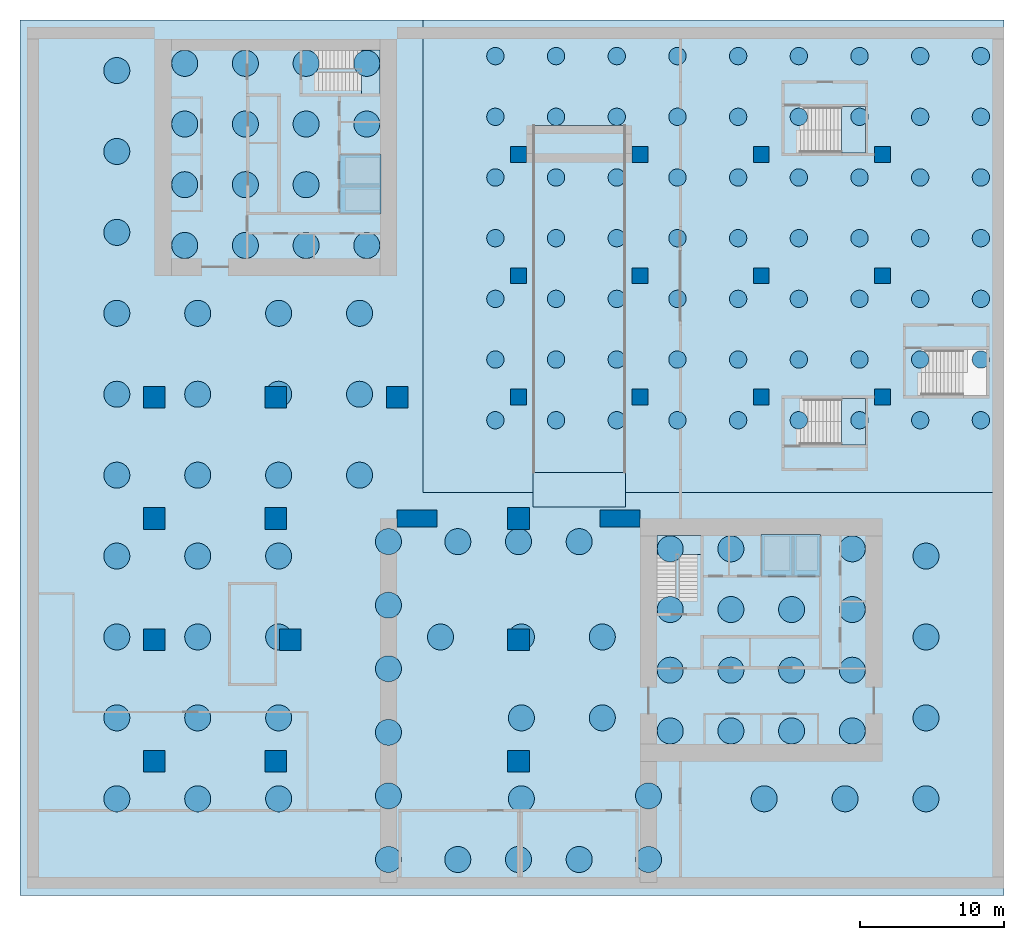
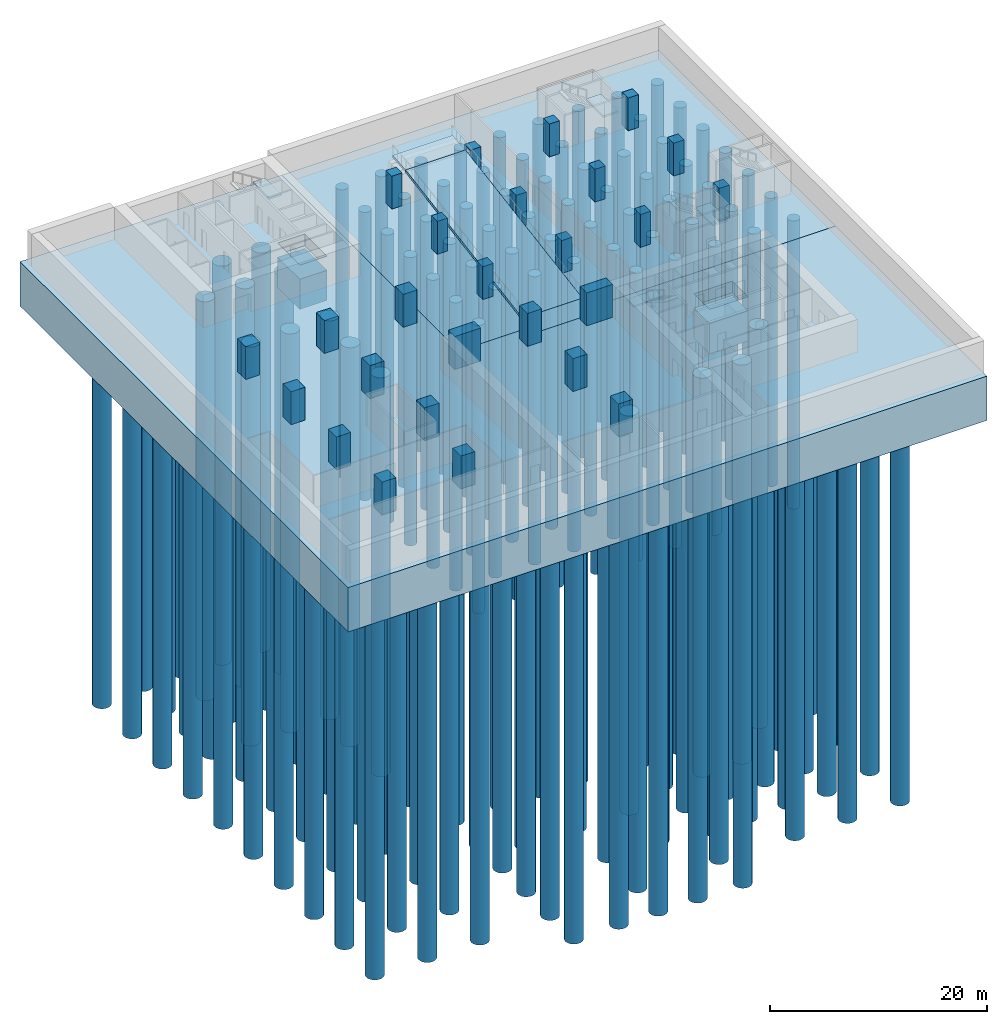
# One storey, part 1 of 8: 146 piles, 26 columns, 9 slabs, 4 footings, 4 elements without a shape of their own.
"""IFC4 building model written with IfcOpenShell, lengths in metres."""

from ifc_helpers import new_model, si_unit, direction, frame, origin, origin_2d, place, context, subcontext, project, spatial, polyline, rectangle, circle, outline, extrude, material, layer, layer_set, material_profile, profile_set, type_object, element, aggregate, save


model = new_model("IFC4")

# Units and contexts
model_context = context("Model", 3, precision=1e-05, world=origin(), true_north=direction((0.0, 1.0)))
body_context = subcontext(model_context, "Body", "Model", "MODEL_VIEW")
ifc_project = project(units=[si_unit("LENGTHUNIT", "METRE"), si_unit("AREAUNIT", "SQUARE_METRE"), si_unit("VOLUMEUNIT", "CUBIC_METRE"), si_unit("PLANEANGLEUNIT", "RADIAN"), si_unit("MASSUNIT", "GRAM", prefix="KILO")], contexts=[model_context])

# Site, building, storey
site_placement = place(None, origin())
site = spatial("IfcSite", under=ifc_project, at=site_placement, CompositionType="ELEMENT")
building_placement = place(site_placement, origin())
building = spatial("IfcBuilding", under=site, at=building_placement, Name="Vermilion Gate Residences", CompositionType="ELEMENT")
storey_placement = place(building_placement, frame((0.0, 0.0, -16.0)))
storey = spatial("IfcBuildingStorey", under=building, at=storey_placement, Name="B4", CompositionType="ELEMENT", Elevation=-16.0)

# Piles
ifc_material_1 = material(Name="Concrete C40", Category="concrete")
ifc_material_profile_1 = material_profile(ifc_material_1, circle(Radius=0.60009765625, at=origin_2d()), Name="BORED PILE 1200")
ifc_profile_set_1 = profile_set([ifc_material_profile_1], Name="Concrete C40")
pile_type_1 = type_object("IfcPileType", Name="BORED PILE 1200", PredefinedType="BORED", material=ifc_profile_set_1)
for number, where, z_axis, x_axis, name in (
    (1, (32.0, 32.0, -1.5), (0.0, 0.0, -1.0), (1.0, 0.0, 0.0), "Bored pile P084"),
    (2, (36.199951171875, 32.0, -1.5), (0.0, 0.0, -1.0), (1.0, 0.0, 0.0), "Bored pile P085"),
    (3, (40.39990234375, 32.0, -1.5), (0.0, 0.0, -1.0), (1.0, 0.0, 0.0), "Bored pile P086"),
    (4, (44.60009765625, 32.0, -1.5), (0.0, 0.0, -1.0), (1.0, 0.0, 0.0), "Bored pile P087"),
    (5, (48.800048828125, 32.0, -1.5), (0.0, 0.0, -1.0), (1.0, 0.0, 0.0), "Bored pile P088"),
    (6, (53.0, 32.0, -1.5), (0.0, 0.0, -1.0), (1.0, 0.0, 0.0), "Bored pile P089"),
    (7, (57.199951171875, 32.0, -1.5), (0.0, 0.0, -1.0), (1.0, 0.0, 0.0), "Bored pile P090"),
    (8, (61.39990234375, 32.0, -1.5), (0.0, 0.0, -1.0), (1.0, 0.0, 0.0), "Bored pile P091"),
    (9, (65.60009765625, 32.0, -1.5), (0.0, 0.0, -1.0), (1.0, 0.0, 0.0), "Bored pile P092"),
    (10, (32.0, 36.199951171875, -1.5), (0.0, 0.0, -1.0), (1.0, 0.0, 0.0), "Bored pile P093"),
    (11, (36.199951171875, 36.199951171875, -1.5), (0.0, 0.0, -1.0), (1.0, 0.0, 0.0), "Bored pile P094"),
    (12, (40.39990234375, 36.199951171875, -1.5), (0.0, 0.0, -1.0), (1.0, 0.0, 0.0), "Bored pile P095"),
    (13, (44.60009765625, 36.199951171875, -1.5), (0.0, 0.0, -1.0), (1.0, 0.0, 0.0), "Bored pile P096"),
    (14, (48.800048828125, 36.199951171875, -1.5), (0.0, 0.0, -1.0), (1.0, 0.0, 0.0), "Bored pile P097"),
    (15, (53.0, 36.199951171875, -1.5), (0.0, 0.0, -1.0), (1.0, 0.0, 0.0), "Bored pile P098"),
    (16, (57.199951171875, 36.199951171875, -1.5), (0.0, 0.0, -1.0), (1.0, 0.0, 0.0), "Bored pile P099"),
    (17, (61.39990234375, 36.199951171875, -1.5), (0.0, 0.0, -1.0), (1.0, 0.0, 0.0), "Bored pile P100"),
    (18, (65.60009765625, 36.199951171875, -1.5), (0.0, 0.0, -1.0), (1.0, 0.0, 0.0), "Bored pile P101"),
    (19, (32.0, 40.39990234375, -1.5), (0.0, 0.0, -1.0), (1.0, 0.0, 0.0), "Bored pile P102"),
    (20, (36.199951171875, 40.39990234375, -1.5), (0.0, 0.0, -1.0), (1.0, 0.0, 0.0), "Bored pile P103"),
    (21, (40.39990234375, 40.39990234375, -1.5), (0.0, 0.0, -1.0), (1.0, 0.0, 0.0), "Bored pile P104"),
    (22, (44.60009765625, 40.39990234375, -1.5), (0.0, 0.0, -1.0), (1.0, 0.0, 0.0), "Bored pile P105"),
    (23, (48.800048828125, 40.39990234375, -1.5), (0.0, 0.0, -1.0), (1.0, 0.0, 0.0), "Bored pile P106"),
    (24, (53.0, 40.39990234375, -1.5), (0.0, 0.0, -1.0), (1.0, 0.0, 0.0), "Bored pile P107"),
    (25, (57.199951171875, 40.39990234375, -1.5), (0.0, 0.0, -1.0), (1.0, 0.0, 0.0), "Bored pile P108"),
    (26, (61.39990234375, 40.39990234375, -1.5), (0.0, 0.0, -1.0), (1.0, 0.0, 0.0), "Bored pile P109"),
    (27, (65.60009765625, 40.39990234375, -1.5), (0.0, 0.0, -1.0), (1.0, 0.0, 0.0), "Bored pile P110"),
    (28, (32.0, 44.60009765625, -1.5), (0.0, 0.0, -1.0), (1.0, 0.0, 0.0), "Bored pile P111"),
    (29, (36.199951171875, 44.60009765625, -1.5), (0.0, 0.0, -1.0), (1.0, 0.0, 0.0), "Bored pile P112"),
    (30, (40.39990234375, 44.60009765625, -1.5), (0.0, 0.0, -1.0), (1.0, 0.0, 0.0), "Bored pile P113"),
    (31, (44.60009765625, 44.60009765625, -1.5), (0.0, 0.0, -1.0), (1.0, 0.0, 0.0), "Bored pile P114"),
    (32, (48.800048828125, 44.60009765625, -1.5), (0.0, 0.0, -1.0), (1.0, 0.0, 0.0), "Bored pile P115"),
    (33, (53.0, 44.60009765625, -1.5), (0.0, 0.0, -1.0), (1.0, 0.0, 0.0), "Bored pile P116"),
    (34, (57.199951171875, 44.60009765625, -1.5), (0.0, 0.0, -1.0), (1.0, 0.0, 0.0), "Bored pile P117"),
    (35, (61.39990234375, 44.60009765625, -1.5), (0.0, 0.0, -1.0), (1.0, 0.0, 0.0), "Bored pile P118"),
    (36, (65.60009765625, 44.60009765625, -1.5), (0.0, 0.0, -1.0), (1.0, 0.0, 0.0), "Bored pile P119"),
    (37, (32.0, 48.800048828125, -1.5), (0.0, 0.0, -1.0), (1.0, 0.0, 0.0), "Bored pile P120"),
    (38, (36.199951171875, 48.800048828125, -1.5), (0.0, 0.0, -1.0), (1.0, 0.0, 0.0), "Bored pile P121"),
    (39, (40.39990234375, 48.800048828125, -1.5), (0.0, 0.0, -1.0), (1.0, 0.0, 0.0), "Bored pile P122"),
    (40, (44.60009765625, 48.800048828125, -1.5), (0.0, 0.0, -1.0), (1.0, 0.0, 0.0), "Bored pile P123"),
    (41, (48.800048828125, 48.800048828125, -1.5), (0.0, 0.0, -1.0), (1.0, 0.0, 0.0), "Bored pile P124"),
    (42, (53.0, 48.800048828125, -1.5), (0.0, 0.0, -1.0), (1.0, 0.0, 0.0), "Bored pile P125"),
    (43, (57.199951171875, 48.800048828125, -1.5), (0.0, 0.0, -1.0), (1.0, 0.0, 0.0), "Bored pile P126"),
    (44, (61.39990234375, 48.800048828125, -1.5), (0.0, 0.0, -1.0), (1.0, 0.0, 0.0), "Bored pile P127"),
    (45, (65.60009765625, 48.800048828125, -1.5), (0.0, 0.0, -1.0), (1.0, 0.0, 0.0), "Bored pile P128"),
    (46, (32.0, 53.0, -1.5), (0.0, 0.0, -1.0), (1.0, 0.0, 0.0), "Bored pile P129"),
    (47, (36.199951171875, 53.0, -1.5), (0.0, 0.0, -1.0), (1.0, 0.0, 0.0), "Bored pile P130"),
    (48, (40.39990234375, 53.0, -1.5), (0.0, 0.0, -1.0), (1.0, 0.0, 0.0), "Bored pile P131"),
    (49, (44.60009765625, 53.0, -1.5), (0.0, 0.0, -1.0), (1.0, 0.0, 0.0), "Bored pile P132"),
    (50, (48.800048828125, 53.0, -1.5), (0.0, 0.0, -1.0), (1.0, 0.0, 0.0), "Bored pile P133"),
    (51, (53.0, 53.0, -1.5), (0.0, 0.0, -1.0), (1.0, 0.0, 0.0), "Bored pile P134"),
    (52, (57.199951171875, 53.0, -1.5), (0.0, 0.0, -1.0), (1.0, 0.0, 0.0), "Bored pile P135"),
    (53, (61.39990234375, 53.0, -1.5), (0.0, 0.0, -1.0), (1.0, 0.0, 0.0), "Bored pile P136"),
    (54, (65.60009765625, 53.0, -1.5), (0.0, 0.0, -1.0), (1.0, 0.0, 0.0), "Bored pile P137"),
    (55, (32.0, 57.199951171875, -1.5), (0.0, 0.0, -1.0), (1.0, 0.0, 0.0), "Bored pile P138"),
    (56, (36.199951171875, 57.199951171875, -1.5), (0.0, 0.0, -1.0), (1.0, 0.0, 0.0), "Bored pile P139"),
    (57, (40.39990234375, 57.199951171875, -1.5), (0.0, 0.0, -1.0), (1.0, 0.0, 0.0), "Bored pile P140"),
    (58, (44.60009765625, 57.199951171875, -1.5), (0.0, 0.0, -1.0), (1.0, 0.0, 0.0), "Bored pile P141"),
    (59, (48.800048828125, 57.199951171875, -1.5), (0.0, 0.0, -1.0), (1.0, 0.0, 0.0), "Bored pile P142"),
    (60, (53.0, 57.199951171875, -1.5), (0.0, 0.0, -1.0), (1.0, 0.0, 0.0), "Bored pile P143"),
    (61, (57.199951171875, 57.199951171875, -1.5), (0.0, 0.0, -1.0), (1.0, 0.0, 0.0), "Bored pile P144"),
    (62, (61.39990234375, 57.199951171875, -1.5), (0.0, 0.0, -1.0), (1.0, 0.0, 0.0), "Bored pile P145"),
    (63, (65.60009765625, 57.199951171875, -1.5), (0.0, 0.0, -1.0), (1.0, 0.0, 0.0), "Bored pile P146"),
):
    element("IfcPile", number, at=place(storey_placement, frame(where, z_axis=z_axis, x_axis=x_axis)), inside=storey, type_object=pile_type_1, Name=name, PredefinedType="BORED", context=body_context, shape_type="SweptSolid", body=[
        extrude(circle(Radius=0.60009765625, at=origin_2d()), origin(), (0.0, 0.0, 1.0), 32.5),
    ])
ifc_material_2 = material(Name="Concrete C40", Category="concrete")
ifc_material_profile_2 = material_profile(ifc_material_2, circle(Radius=0.89990234375, at=origin_2d()), Name="BORED PILE 1800")
ifc_profile_set_2 = profile_set([ifc_material_profile_2], Name="Concrete C40")
pile_type_2 = type_object("IfcPileType", Name="BORED PILE 1800", PredefinedType="BORED", material=ifc_profile_set_2)
for number, where, z_axis, x_axis, name in (
    (64, (44.10009765625, 10.5, -5.0), (0.0, 0.0, -1.0), (1.0, 0.0, 0.0), "Bored pile P001"),
    (65, (44.10009765625, 14.699951171875, -5.0), (0.0, 0.0, -1.0), (1.0, 0.0, 0.0), "Bored pile P002"),
    (66, (44.10009765625, 18.89990234375, -5.0), (0.0, 0.0, -1.0), (1.0, 0.0, 0.0), "Bored pile P003"),
    (67, (44.10009765625, 23.10009765625, -5.0), (0.0, 0.0, -1.0), (1.0, 0.0, 0.0), "Bored pile P004"),
    (68, (48.300048828125, 10.5, -5.0), (0.0, 0.0, -1.0), (1.0, 0.0, 0.0), "Bored pile P005"),
    (69, (48.300048828125, 14.699951171875, -5.0), (0.0, 0.0, -1.0), (1.0, 0.0, 0.0), "Bored pile P006"),
    (70, (48.300048828125, 18.89990234375, -5.0), (0.0, 0.0, -1.0), (1.0, 0.0, 0.0), "Bored pile P007"),
    (71, (48.300048828125, 23.10009765625, -5.0), (0.0, 0.0, -1.0), (1.0, 0.0, 0.0), "Bored pile P008"),
    (72, (52.5, 10.5, -5.0), (0.0, 0.0, -1.0), (1.0, 0.0, 0.0), "Bored pile P009"),
    (73, (52.5, 14.699951171875, -5.0), (0.0, 0.0, -1.0), (1.0, 0.0, 0.0), "Bored pile P010"),
    (74, (52.5, 18.89990234375, -5.0), (0.0, 0.0, -1.0), (1.0, 0.0, 0.0), "Bored pile P011"),
    (75, (56.699951171875, 10.5, -5.0), (0.0, 0.0, -1.0), (1.0, 0.0, 0.0), "Bored pile P012"),
    (76, (56.699951171875, 14.699951171875, -5.0), (0.0, 0.0, -1.0), (1.0, 0.0, 0.0), "Bored pile P013"),
    (77, (56.699951171875, 18.89990234375, -5.0), (0.0, 0.0, -1.0), (1.0, 0.0, 0.0), "Bored pile P014"),
    (78, (56.699951171875, 23.10009765625, -5.0), (0.0, 0.0, -1.0), (1.0, 0.0, 0.0), "Bored pile P015"),
    (79, (10.5, 44.10009765625, -5.0), (0.0, 0.0, -1.0), (1.0, 0.0, 0.0), "Bored pile P016"),
    (80, (10.5, 48.300048828125, -5.0), (0.0, 0.0, -1.0), (1.0, 0.0, 0.0), "Bored pile P017"),
    (81, (10.5, 52.5, -5.0), (0.0, 0.0, -1.0), (1.0, 0.0, 0.0), "Bored pile P018"),
    (82, (10.5, 56.699951171875, -5.0), (0.0, 0.0, -1.0), (1.0, 0.0, 0.0), "Bored pile P019"),
    (83, (14.699951171875, 44.10009765625, -5.0), (0.0, 0.0, -1.0), (1.0, 0.0, 0.0), "Bored pile P020"),
    (84, (14.699951171875, 48.300048828125, -5.0), (0.0, 0.0, -1.0), (1.0, 0.0, 0.0), "Bored pile P021"),
    (85, (14.699951171875, 52.5, -5.0), (0.0, 0.0, -1.0), (1.0, 0.0, 0.0), "Bored pile P022"),
    (86, (14.699951171875, 56.699951171875, -5.0), (0.0, 0.0, -1.0), (1.0, 0.0, 0.0), "Bored pile P023"),
    (87, (18.89990234375, 44.10009765625, -5.0), (0.0, 0.0, -1.0), (1.0, 0.0, 0.0), "Bored pile P024"),
    (88, (18.89990234375, 48.300048828125, -5.0), (0.0, 0.0, -1.0), (1.0, 0.0, 0.0), "Bored pile P025"),
    (89, (18.89990234375, 52.5, -5.0), (0.0, 0.0, -1.0), (1.0, 0.0, 0.0), "Bored pile P026"),
    (90, (18.89990234375, 56.699951171875, -5.0), (0.0, 0.0, -1.0), (1.0, 0.0, 0.0), "Bored pile P027"),
    (91, (23.10009765625, 44.10009765625, -5.0), (0.0, 0.0, -1.0), (1.0, 0.0, 0.0), "Bored pile P028"),
    (92, (23.10009765625, 52.5, -5.0), (0.0, 0.0, -1.0), (1.0, 0.0, 0.0), "Bored pile P029"),
    (93, (23.10009765625, 56.699951171875, -5.0), (0.0, 0.0, -1.0), (1.0, 0.0, 0.0), "Bored pile P030"),
    (94, (24.60009765625, 1.60009765625, -5.0), (0.0, 0.0, -1.0), (1.0, 0.0, 0.0), "Bored pile P031"),
    (95, (24.60009765625, 6.0, -5.0), (0.0, 0.0, -1.0), (1.0, 0.0, 0.0), "Bored pile P032"),
    (96, (24.60009765625, 10.39990234375, -5.0), (0.0, 0.0, -1.0), (1.0, 0.0, 0.0), "Bored pile P033"),
    (97, (24.60009765625, 14.800048828125, -5.0), (0.0, 0.0, -1.0), (1.0, 0.0, 0.0), "Bored pile P034"),
    (98, (24.60009765625, 19.199951171875, -5.0), (0.0, 0.0, -1.0), (1.0, 0.0, 0.0), "Bored pile P035"),
    (99, (24.60009765625, 23.60009765625, -5.0), (0.0, 0.0, -1.0), (1.0, 0.0, 0.0), "Bored pile P036"),
    (100, (42.60009765625, 1.60009765625, -5.0), (0.0, 0.0, -1.0), (1.0, 0.0, 0.0), "Bored pile P037"),
    (101, (42.60009765625, 6.0, -5.0), (0.0, 0.0, -1.0), (1.0, 0.0, 0.0), "Bored pile P038"),
    (102, (29.39990234375, 1.60009765625, -5.0), (0.0, 0.0, -1.0), (1.0, 0.0, 0.0), "Bored pile P039"),
    (103, (29.39990234375, 23.60009765625, -5.0), (0.0, 0.0, -1.0), (1.0, 0.0, 0.0), "Bored pile P040"),
    (104, (33.60009765625, 1.60009765625, -5.0), (0.0, 0.0, -1.0), (1.0, 0.0, 0.0), "Bored pile P041"),
    (105, (33.60009765625, 23.60009765625, -5.0), (0.0, 0.0, -1.0), (1.0, 0.0, 0.0), "Bored pile P042"),
    (106, (37.800048828125, 1.60009765625, -5.0), (0.0, 0.0, -1.0), (1.0, 0.0, 0.0), "Bored pile P043"),
    (107, (37.800048828125, 23.60009765625, -5.0), (0.0, 0.0, -1.0), (1.0, 0.0, 0.0), "Bored pile P044"),
    (108, (5.800048828125, 5.800048828125, -5.0), (0.0, 0.0, -1.0), (1.0, 0.0, 0.0), "Bored pile P045"),
    (109, (11.39990234375, 5.800048828125, -5.0), (0.0, 0.0, -1.0), (1.0, 0.0, 0.0), "Bored pile P046"),
    (110, (17.0, 5.800048828125, -5.0), (0.0, 0.0, -1.0), (1.0, 0.0, 0.0), "Bored pile P047"),
    (111, (33.800048828125, 5.800048828125, -5.0), (0.0, 0.0, -1.0), (1.0, 0.0, 0.0), "Bored pile P048"),
    (112, (50.60009765625, 5.800048828125, -5.0), (0.0, 0.0, -1.0), (1.0, 0.0, 0.0), "Bored pile P049"),
    (113, (56.199951171875, 5.800048828125, -5.0), (0.0, 0.0, -1.0), (1.0, 0.0, 0.0), "Bored pile P050"),
    (114, (61.800048828125, 5.800048828125, -5.0), (0.0, 0.0, -1.0), (1.0, 0.0, 0.0), "Bored pile P051"),
    (115, (5.800048828125, 11.39990234375, -5.0), (0.0, 0.0, -1.0), (1.0, 0.0, 0.0), "Bored pile P052"),
    (116, (11.39990234375, 11.39990234375, -5.0), (0.0, 0.0, -1.0), (1.0, 0.0, 0.0), "Bored pile P053"),
    (117, (17.0, 11.39990234375, -5.0), (0.0, 0.0, -1.0), (1.0, 0.0, 0.0), "Bored pile P054"),
    (118, (33.800048828125, 11.39990234375, -5.0), (0.0, 0.0, -1.0), (1.0, 0.0, 0.0), "Bored pile P055"),
    (119, (39.39990234375, 11.39990234375, -5.0), (0.0, 0.0, -1.0), (1.0, 0.0, 0.0), "Bored pile P056"),
    (120, (61.800048828125, 11.39990234375, -5.0), (0.0, 0.0, -1.0), (1.0, 0.0, 0.0), "Bored pile P057"),
    (121, (5.800048828125, 17.0, -5.0), (0.0, 0.0, -1.0), (1.0, 0.0, 0.0), "Bored pile P058"),
    (122, (11.39990234375, 17.0, -5.0), (0.0, 0.0, -1.0), (1.0, 0.0, 0.0), "Bored pile P059"),
    (123, (17.0, 17.0, -5.0), (0.0, 0.0, -1.0), (1.0, 0.0, 0.0), "Bored pile P060"),
    (124, (28.199951171875, 17.0, -5.0), (0.0, 0.0, -1.0), (1.0, 0.0, 0.0), "Bored pile P061"),
    (125, (33.800048828125, 17.0, -5.0), (0.0, 0.0, -1.0), (1.0, 0.0, 0.0), "Bored pile P062"),
    (126, (39.39990234375, 17.0, -5.0), (0.0, 0.0, -1.0), (1.0, 0.0, 0.0), "Bored pile P063"),
    (127, (61.800048828125, 17.0, -5.0), (0.0, 0.0, -1.0), (1.0, 0.0, 0.0), "Bored pile P064"),
    (128, (5.800048828125, 22.60009765625, -5.0), (0.0, 0.0, -1.0), (1.0, 0.0, 0.0), "Bored pile P065"),
    (129, (11.39990234375, 22.60009765625, -5.0), (0.0, 0.0, -1.0), (1.0, 0.0, 0.0), "Bored pile P066"),
    (130, (17.0, 22.60009765625, -5.0), (0.0, 0.0, -1.0), (1.0, 0.0, 0.0), "Bored pile P067"),
    (131, (61.800048828125, 22.60009765625, -5.0), (0.0, 0.0, -1.0), (1.0, 0.0, 0.0), "Bored pile P068"),
    (132, (5.800048828125, 28.199951171875, -5.0), (0.0, 0.0, -1.0), (1.0, 0.0, 0.0), "Bored pile P069"),
    (133, (11.39990234375, 28.199951171875, -5.0), (0.0, 0.0, -1.0), (1.0, 0.0, 0.0), "Bored pile P070"),
    (134, (17.0, 28.199951171875, -5.0), (0.0, 0.0, -1.0), (1.0, 0.0, 0.0), "Bored pile P071"),
    (135, (22.60009765625, 28.199951171875, -5.0), (0.0, 0.0, -1.0), (1.0, 0.0, 0.0), "Bored pile P072"),
    (136, (5.800048828125, 33.800048828125, -5.0), (0.0, 0.0, -1.0), (1.0, 0.0, 0.0), "Bored pile P073"),
    (137, (11.39990234375, 33.800048828125, -5.0), (0.0, 0.0, -1.0), (1.0, 0.0, 0.0), "Bored pile P074"),
    (138, (17.0, 33.800048828125, -5.0), (0.0, 0.0, -1.0), (1.0, 0.0, 0.0), "Bored pile P075"),
    (139, (22.60009765625, 33.800048828125, -5.0), (0.0, 0.0, -1.0), (1.0, 0.0, 0.0), "Bored pile P076"),
    (140, (5.800048828125, 39.39990234375, -5.0), (0.0, 0.0, -1.0), (1.0, 0.0, 0.0), "Bored pile P077"),
    (141, (11.39990234375, 39.39990234375, -5.0), (0.0, 0.0, -1.0), (1.0, 0.0, 0.0), "Bored pile P078"),
    (142, (17.0, 39.39990234375, -5.0), (0.0, 0.0, -1.0), (1.0, 0.0, 0.0), "Bored pile P079"),
    (143, (22.60009765625, 39.39990234375, -5.0), (0.0, 0.0, -1.0), (1.0, 0.0, 0.0), "Bored pile P080"),
    (144, (5.800048828125, 45.0, -5.0), (0.0, 0.0, -1.0), (1.0, 0.0, 0.0), "Bored pile P081"),
    (145, (5.800048828125, 50.60009765625, -5.0), (0.0, 0.0, -1.0), (1.0, 0.0, 0.0), "Bored pile P082"),
    (146, (5.800048828125, 56.199951171875, -5.0), (0.0, 0.0, -1.0), (1.0, 0.0, 0.0), "Bored pile P083"),
):
    element("IfcPile", number, at=place(storey_placement, frame(where, z_axis=z_axis, x_axis=x_axis)), inside=storey, type_object=pile_type_2, Name=name, PredefinedType="BORED", context=body_context, shape_type="SweptSolid", body=[
        extrude(circle(Radius=0.89990234375, at=origin_2d()), origin(), (0.0, 0.0, 1.0), 45.0),
    ])

# Footings
ifc_material_3 = material(Name="Concrete C40", Category="concrete")
ifc_layer_1 = layer(ifc_material_3, 1.5)
ifc_layer_set_1 = layer_set([ifc_layer_1], Name="PILED RAFT 1500 C40")
footing_type_1 = type_object("IfcFootingType", Name="PILED RAFT 1500 C40", PredefinedType="PILE_CAP", material=ifc_layer_set_1)
footing_1_placement = place(storey_placement, frame((0.0, 0.0, -1.5)))
element("IfcFooting", 147, at=footing_1_placement, inside=storey, type_object=footing_type_1, Name="Piled raft court 1", PredefinedType="PILE_CAP", context=body_context, shape_type="SweptSolid", body=[
    extrude(outline(polyline([(67.199951171875, 59.699951171875), (27.0, 59.699951171875), (27.0, 27.0), (67.199951171875, 27.0), (67.199951171875, 59.699951171875)])), origin(), (0.0, 0.0, 1.0), 1.5),
])
ifc_material_4 = material(Name="Concrete C40", Category="concrete")
ifc_layer_2 = layer(ifc_material_4, 5.0)
ifc_layer_set_2 = layer_set([ifc_layer_2], Name="PILED RAFT 5000 C40")
footing_type_2 = type_object("IfcFootingType", Name="PILED RAFT 5000 C40", PredefinedType="PILE_CAP", material=ifc_layer_set_2)
footing_2_placement = place(storey_placement, frame((0.0, 0.0, -5.0)))
element("IfcFooting", 148, at=footing_2_placement, inside=storey, type_object=footing_type_2, Name="Piled raft tower 1", PredefinedType="PILE_CAP", context=body_context, shape_type="SweptSolid", body=[
    extrude(outline(polyline([(67.199951171875, 27.0), (27.0, 27.0), (27.0, 59.699951171875), (-0.89990234375, 59.699951171875), (-0.89990234375, -0.89990234375), (67.199951171875, -0.89990234375), (67.199951171875, 27.0)]), holes=[polyline([(54.5, 21.199951171875), (50.39990234375, 21.199951171875), (50.39990234375, 24.10009765625), (54.5, 24.10009765625), (54.5, 21.199951171875)]), polyline([(24.10009765625, 46.300048828125), (21.199951171875, 46.300048828125), (21.199951171875, 50.39990234375), (24.10009765625, 50.39990234375), (24.10009765625, 46.300048828125)])]), origin(), (0.0, 0.0, 1.0), 5.0),
])
ifc_material_5 = material(Name="Concrete C40", Category="concrete")
ifc_layer_3 = layer(ifc_material_5, 3.39990234375)
ifc_layer_set_3 = layer_set([ifc_layer_3], Name="PILED RAFT PIT 3400 C40")
footing_type_3 = type_object("IfcFootingType", Name="PILED RAFT PIT 3400 C40", PredefinedType="PILE_CAP", material=ifc_layer_set_3)
footing_3_placement = place(storey_placement, frame((0.0, 0.0, -5.0)))
element("IfcFooting", 149, at=footing_3_placement, inside=storey, type_object=footing_type_3, Name="Piled raft lift pit recess 1", PredefinedType="PILE_CAP", context=body_context, shape_type="SweptSolid", body=[
    extrude(outline(polyline([(54.5, 21.199951171875), (54.5, 24.10009765625), (50.39990234375, 24.10009765625), (50.39990234375, 21.199951171875), (54.5, 21.199951171875)])), origin(), (0.0, 0.0, 1.0), 3.39990234375),
])
footing_4_placement = place(storey_placement, frame((0.0, 0.0, -5.0)))
element("IfcFooting", 150, at=footing_4_placement, inside=storey, type_object=footing_type_3, Name="Piled raft lift pit recess 2", PredefinedType="PILE_CAP", context=body_context, shape_type="SweptSolid", body=[
    extrude(outline(polyline([(24.10009765625, 46.300048828125), (24.10009765625, 50.39990234375), (21.199951171875, 50.39990234375), (21.199951171875, 46.300048828125), (24.10009765625, 46.300048828125)])), origin(), (0.0, 0.0, 1.0), 3.39990234375),
])

# Columns
ifc_material_6 = material(Name="Concrete C60", Category="concrete")
ifc_material_profile_3 = material_profile(ifc_material_6, rectangle(XDim=1.10009765625, YDim=1.10009765625, at=origin_2d()), Name="RC-1100x1100")
ifc_profile_set_3 = profile_set([ifc_material_profile_3], Name="Concrete C60")
column_type_1 = type_object("IfcColumnType", Name="RC COLUMN 1100 X 1100 C60", PredefinedType="COLUMN", material=ifc_profile_set_3)
for number, where, z_axis, x_axis, name in (
    (151, (33.60009765625, 33.60009765625, 0.0), (0.0, 0.0, 1.0), (1.0, 0.0, 0.0), "Column 5-E B4"),
    (152, (33.60009765625, 42.0, 0.0), (0.0, 0.0, 1.0), (1.0, 0.0, 0.0), "Column 5-F B4"),
    (153, (33.60009765625, 50.39990234375, 0.0), (0.0, 0.0, 1.0), (1.0, 0.0, 0.0), "Column 5-G B4"),
    (154, (42.0, 33.60009765625, 0.0), (0.0, 0.0, 1.0), (1.0, 0.0, 0.0), "Column 6-E B4"),
    (155, (42.0, 42.0, 0.0), (0.0, 0.0, 1.0), (1.0, 0.0, 0.0), "Column 6-F B4"),
    (156, (42.0, 50.39990234375, 0.0), (0.0, 0.0, 1.0), (1.0, 0.0, 0.0), "Column 6-G B4"),
    (157, (50.39990234375, 33.60009765625, 0.0), (0.0, 0.0, 1.0), (1.0, 0.0, 0.0), "Column 7-E B4"),
    (158, (50.39990234375, 42.0, 0.0), (0.0, 0.0, 1.0), (1.0, 0.0, 0.0), "Column 7-F B4"),
    (159, (50.39990234375, 50.39990234375, 0.0), (0.0, 0.0, 1.0), (1.0, 0.0, 0.0), "Column 7-G B4"),
    (160, (58.800048828125, 33.60009765625, 0.0), (0.0, 0.0, 1.0), (1.0, 0.0, 0.0), "Column 8-E B4"),
    (161, (58.800048828125, 42.0, 0.0), (0.0, 0.0, 1.0), (1.0, 0.0, 0.0), "Column 8-F B4"),
    (162, (58.800048828125, 50.39990234375, 0.0), (0.0, 0.0, 1.0), (1.0, 0.0, 0.0), "Column 8-G B4"),
):
    element("IfcColumn", number, at=place(storey_placement, frame(where, z_axis=z_axis, x_axis=x_axis)), inside=storey, type_object=column_type_1, Name=name, PredefinedType="COLUMN", context=body_context, shape_type="SweptSolid", body=[
        extrude(rectangle(XDim=1.10009765625, YDim=1.10009765625, at=origin_2d()), origin(), (0.0, 0.0, 1.0), 3.699951171875),
    ])
ifc_material_7 = material(Name="Concrete C80", Category="concrete")
ifc_material_profile_4 = material_profile(ifc_material_7, rectangle(XDim=1.5, YDim=1.5, at=origin_2d()), Name="RC-1500x1500")
ifc_profile_set_4 = profile_set([ifc_material_profile_4], Name="Concrete C80")
column_type_2 = type_object("IfcColumnType", Name="RC COLUMN 1500 X 1500 C80", PredefinedType="COLUMN", material=ifc_profile_set_4)
for number, where, z_axis, x_axis, name in (
    (163, (8.39990234375, 8.39990234375, 0.0), (0.0, 0.0, 1.0), (1.0, 0.0, 0.0), "Column 2-B B4"),
    (164, (8.39990234375, 16.800048828125, 0.0), (0.0, 0.0, 1.0), (1.0, 0.0, 0.0), "Column 2-C B4"),
    (165, (8.39990234375, 25.199951171875, 0.0), (0.0, 0.0, 1.0), (1.0, 0.0, 0.0), "Column 2-D B4"),
    (166, (8.39990234375, 33.60009765625, 0.0), (0.0, 0.0, 1.0), (1.0, 0.0, 0.0), "Column 2-E B4"),
    (167, (16.800048828125, 8.39990234375, 0.0), (0.0, 0.0, 1.0), (1.0, 0.0, 0.0), "Column 3-B B4"),
    (168, (17.800048828125, 16.800048828125, 0.0), (0.0, 0.0, 1.0), (1.0, 0.0, 0.0), "Column 3-C B4"),
    (169, (16.800048828125, 25.199951171875, 0.0), (0.0, 0.0, 1.0), (1.0, 0.0, 0.0), "Column 3-D B4"),
    (170, (16.800048828125, 33.60009765625, 0.0), (0.0, 0.0, 1.0), (1.0, 0.0, 0.0), "Column 3-E B4"),
    (171, (25.199951171875, 33.60009765625, 0.0), (0.0, 0.0, 1.0), (1.0, 0.0, 0.0), "Column 4-E B4"),
    (172, (33.60009765625, 8.39990234375, 0.0), (0.0, 0.0, 1.0), (1.0, 0.0, 0.0), "Column 5-B B4"),
    (173, (33.60009765625, 16.800048828125, 0.0), (0.0, 0.0, 1.0), (1.0, 0.0, 0.0), "Column 5-C B4"),
    (174, (33.60009765625, 25.199951171875, 0.0), (0.0, 0.0, 1.0), (1.0, 0.0, 0.0), "Column 5-D B4"),
):
    element("IfcColumn", number, at=place(storey_placement, frame(where, z_axis=z_axis, x_axis=x_axis)), inside=storey, type_object=column_type_2, Name=name, PredefinedType="COLUMN", context=body_context, shape_type="SweptSolid", body=[
        extrude(rectangle(XDim=1.5, YDim=1.5, at=origin_2d()), origin(), (0.0, 0.0, 1.0), 3.699951171875),
    ])
ifc_material_8 = material(Name="Concrete C80", Category="concrete")
ifc_material_profile_5 = material_profile(ifc_material_8, rectangle(XDim=2.75, YDim=1.199951171875, at=origin_2d()), Name="RC-2750x1200")
ifc_profile_set_5 = profile_set([ifc_material_profile_5], Name="Concrete C80")
column_type_3 = type_object("IfcColumnType", Name="RC COLUMN 2750 X 1200 C80", PredefinedType="COLUMN", material=ifc_profile_set_5)
for number, where, z_axis, x_axis, name in (
    (175, (26.574951171875, 25.199951171875, 0.0), (0.0, 0.0, 1.0), (1.0, 0.0, 0.0), "Portal leg column W B4"),
    (176, (40.625, 25.199951171875, 0.0), (0.0, 0.0, 1.0), (1.0, 0.0, 0.0), "Portal leg column E B4"),
):
    element("IfcColumn", number, at=place(storey_placement, frame(where, z_axis=z_axis, x_axis=x_axis)), inside=storey, type_object=column_type_3, Name=name, PredefinedType="COLUMN", context=body_context, shape_type="SweptSolid", body=[
        extrude(rectangle(XDim=2.75, YDim=1.199951171875, at=origin_2d()), origin(), (0.0, 0.0, 1.0), 3.699951171875),
    ])

# Slabs
ifc_material_9 = material(Name="Concrete C40", Category="concrete")
ifc_layer_4 = layer(ifc_material_9, 0.300048828125)
ifc_layer_set_4 = layer_set([ifc_layer_4], Name="RC LIFT PIT FLOOR 300 C40")
slab_type_1 = type_object("IfcSlabType", Name="RC LIFT PIT FLOOR 300 C40", PredefinedType="BASESLAB", material=ifc_layer_set_4)
slab_1_placement = place(storey_placement, frame((0.0, 0.0, -1.60009765625)))
element("IfcSlab", 177, at=slab_1_placement, inside=storey, type_object=slab_type_1, Name="Lift pit floor core A", PredefinedType="BASESLAB", context=body_context, shape_type="SweptSolid", body=[
    extrude(outline(polyline([(54.5, 21.199951171875), (54.5, 24.10009765625), (50.39990234375, 24.10009765625), (50.39990234375, 21.199951171875), (54.5, 21.199951171875)])), origin(), (0.0, 0.0, 1.0), 0.300048828125),
])
slab_2_placement = place(storey_placement, frame((0.0, 0.0, -1.60009765625)))
element("IfcSlab", 178, at=slab_2_placement, inside=storey, type_object=slab_type_1, Name="Lift pit floor core B", PredefinedType="BASESLAB", context=body_context, shape_type="SweptSolid", body=[
    extrude(outline(polyline([(24.10009765625, 46.300048828125), (24.10009765625, 50.39990234375), (21.199951171875, 50.39990234375), (21.199951171875, 46.300048828125), (24.10009765625, 46.300048828125)])), origin(), (0.0, 0.0, 1.0), 0.300048828125),
])

# Stair, slab
ifc_material_10 = material(Name="Concrete C30", Category="concrete")
stair_type_1 = type_object("IfcStairType", Name="ESCAPE STAIR 1200 (AMENITY)", PredefinedType="HALF_TURN_STAIR", material=ifc_material_10)
stair_1_placement = place(storey_placement, origin())
stair_1 = element("IfcStair", 179, at=stair_1_placement, inside=storey, type_object=stair_type_1, Name="Garage escape stair 4 B4 to B3", PredefinedType="HALF_TURN_STAIR")
ifc_material_11 = material(Name="Concrete C35", Category="concrete")
ifc_layer_5 = layer(ifc_material_11, 0.199951171875)
ifc_layer_set_5 = layer_set([ifc_layer_5], Name="STAIR LANDING 200 (AMENITY)")
slab_type_2 = type_object("IfcSlabType", Name="STAIR LANDING 200 (AMENITY)", PredefinedType="LANDING", material=ifc_layer_set_5)
slab_3_placement = place(storey_placement, frame((0.0, 0.0, 1.886962890625)))
slab_3 = element("IfcSlab", 180, at=slab_3_placement, type_object=slab_type_2, Name="STG4 landing 1", PredefinedType="LANDING", context=body_context, shape_type="SweptSolid", body=[
    extrude(outline(polyline([(55.9599609375, 30.300048828125), (57.60009765625, 30.300048828125), (57.60009765625, 33.5), (55.9599609375, 33.5), (55.9599609375, 30.300048828125)])), origin(), (0.0, 0.0, 1.0), 0.199951171875),
])
aggregate(stair_1, [slab_3])

stair_2_placement = place(storey_placement, origin())
stair_2 = element("IfcStair", 181, at=stair_2_placement, inside=storey, type_object=stair_type_1, Name="Garage escape stair 15 B4 to B3", PredefinedType="HALF_TURN_STAIR")
slab_4_placement = place(storey_placement, frame((0.0, 0.0, 1.886962890625)))
slab_4 = element("IfcSlab", 182, at=slab_4_placement, type_object=slab_type_2, Name="STG15 landing 1", PredefinedType="LANDING", context=body_context, shape_type="SweptSolid", body=[
    extrude(outline(polyline([(55.9599609375, 50.5), (57.60009765625, 50.5), (57.60009765625, 53.699951171875), (55.9599609375, 53.699951171875), (55.9599609375, 50.5)])), origin(), (0.0, 0.0, 1.0), 0.199951171875),
])
aggregate(stair_2, [slab_4])

ifc_material_12 = material(Name="Concrete C50", Category="concrete")
stair_type_2 = type_object("IfcStairType", Name="SPECIAL ESCAPE STAIR 1300", PredefinedType="HALF_TURN_STAIR", material=ifc_material_12)
stair_3_placement = place(storey_placement, origin())
stair_3 = element("IfcStair", 183, at=stair_3_placement, inside=storey, type_object=stair_type_2, Name="Special escape stair STA1-B4", PredefinedType="HALF_TURN_STAIR")
ifc_material_13 = material(Name="Concrete C50", Category="concrete")
ifc_layer_6 = layer(ifc_material_13, 0.199951171875)
ifc_layer_set_6 = layer_set([ifc_layer_6], Name="STAIR LANDING 200 C50")
slab_type_3 = type_object("IfcSlabType", Name="STAIR LANDING 200 C50", PredefinedType="LANDING", material=ifc_layer_set_6)
slab_5_placement = place(storey_placement, frame((0.0, 0.0, 1.800048828125)))
slab_5 = element("IfcSlab", 184, at=slab_5_placement, type_object=slab_type_3, Name="STA1-B4 landing 1", PredefinedType="LANDING", context=body_context, shape_type="SweptSolid", body=[
    extrude(outline(polyline([(46.219970703125, 22.719970703125), (46.219970703125, 24.02001953125), (43.179931640625, 24.02001953125), (43.179931640625, 22.719970703125), (46.219970703125, 22.719970703125)])), origin(), (0.0, 0.0, 1.0), 0.199951171875),
])
aggregate(stair_3, [slab_5])

stair_4_placement = place(storey_placement, origin())
stair_4 = element("IfcStair", 185, at=stair_4_placement, inside=storey, type_object=stair_type_2, Name="Special escape stair STB1-B4", PredefinedType="HALF_TURN_STAIR")
slab_6_placement = place(storey_placement, frame((0.0, 0.0, 1.800048828125)))
slab_6 = element("IfcSlab", 186, at=slab_6_placement, type_object=slab_type_3, Name="STB1-B4 landing 1", PredefinedType="LANDING", context=body_context, shape_type="SweptSolid", body=[
    extrude(outline(polyline([(24.02001953125, 54.580078125), (24.02001953125, 57.6201171875), (22.719970703125, 57.6201171875), (22.719970703125, 54.580078125), (24.02001953125, 54.580078125)])), origin(), (0.0, 0.0, 1.0), 0.199951171875),
])
aggregate(stair_4, [slab_6])

# Slabs
ifc_material_14 = material(Name="Concrete C40", Category="concrete")
ifc_layer_7 = layer(ifc_material_14, 0.280029296875)
ifc_layer_set_7 = layer_set([ifc_layer_7], Name="VEHICLE RAMP SLAB 280 C40 (AMENITY)")
slab_type_4 = type_object("IfcSlabType", Name="VEHICLE RAMP SLAB 280 C40 (AMENITY)", PredefinedType="USERDEFINED", material=ifc_layer_set_7)
slab_7_placement = place(storey_placement, frame((37.800048828125, 52.39990234375, 4.0), z_axis=(0.0, 0.0, 1.0), x_axis=(0.0, -1.0, 0.0)))
element("IfcSlab", 187, at=slab_7_placement, inside=storey, type_object=slab_type_4, Name="Ramp 4 entry transition", ObjectType="VEHICLE RAMP SLAB", PredefinedType="USERDEFINED", context=body_context, shape_type="SweptSolid", body=[
    extrude(outline(polyline([(0.0, 0.0), (2.39990234375, -0.199951171875), (2.39990234375, -0.48095703125), (0.0, -0.281005859375), (0.0, 0.0)])), frame((0.0, 3.199951171875, 0.0), z_axis=(0.0, -1.0, 0.0), x_axis=(1.0, 0.0, 0.0)), (0.0, 0.0, 1.0), 6.39990234375),
])
slab_8_placement = place(storey_placement, frame((37.800048828125, 50.0, 3.800048828125), z_axis=(0.0, 0.0, 1.0), x_axis=(0.0, -1.0, 0.0)))
element("IfcSlab", 188, at=slab_8_placement, inside=storey, type_object=slab_type_4, Name="Ramp 4 main run", ObjectType="VEHICLE RAMP SLAB", PredefinedType="USERDEFINED", context=body_context, shape_type="SweptSolid", body=[
    extrude(outline(polyline([(0.0, 0.0), (21.60009765625, -3.60009765625), (21.60009765625, -3.884033203125), (0.0, -0.283935546875), (0.0, 0.0)])), frame((0.0, 3.199951171875, 0.0), z_axis=(0.0, -1.0, 0.0), x_axis=(1.0, 0.0, 0.0)), (0.0, 0.0, 1.0), 6.39990234375),
])
slab_9_placement = place(storey_placement, frame((37.800048828125, 28.39990234375, 0.199951171875), z_axis=(0.0, 0.0, 1.0), x_axis=(0.0, -1.0, 0.0)))
element("IfcSlab", 189, at=slab_9_placement, inside=storey, type_object=slab_type_4, Name="Ramp 4 exit transition", ObjectType="VEHICLE RAMP SLAB", PredefinedType="USERDEFINED", context=body_context, shape_type="SweptSolid", body=[
    extrude(outline(polyline([(0.0, 0.0), (2.39990234375, -0.199951171875), (2.39990234375, -0.48095703125), (0.0, -0.281005859375), (0.0, 0.0)])), frame((0.0, 3.199951171875, 0.0), z_axis=(0.0, -1.0, 0.0), x_axis=(1.0, 0.0, 0.0)), (0.0, 0.0, 1.0), 6.39990234375),
])

save(model, "model.ifc")
